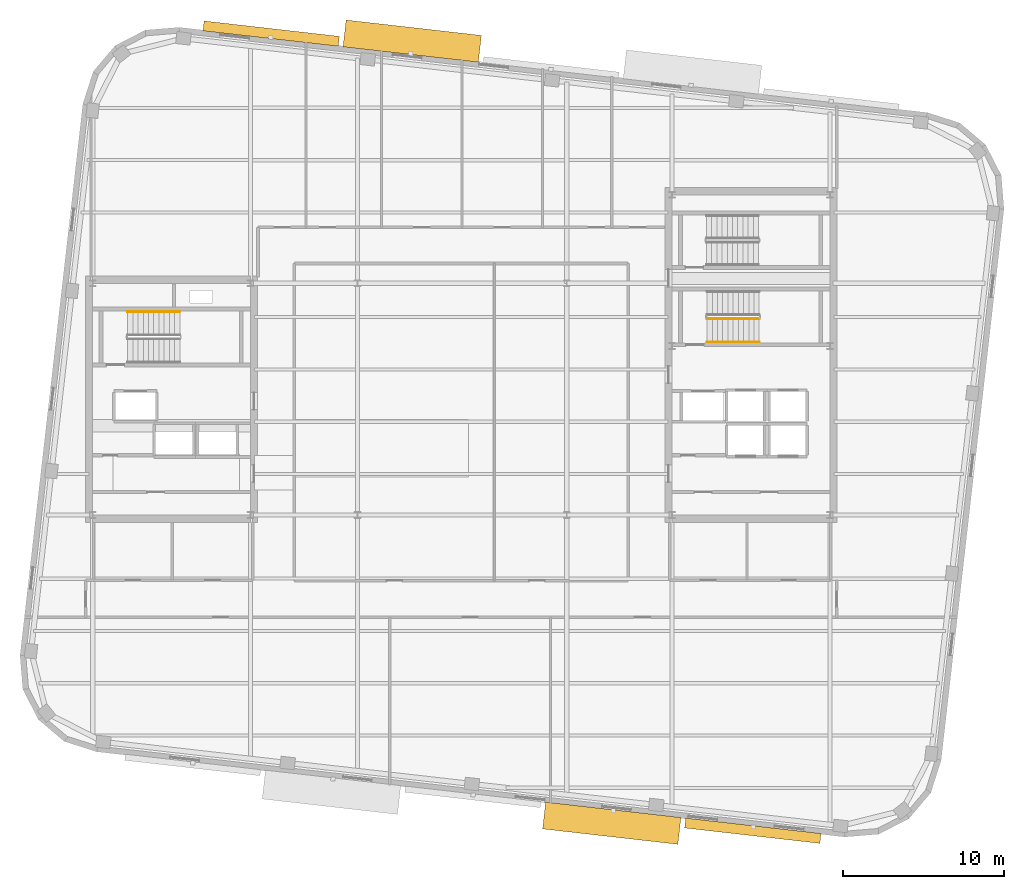
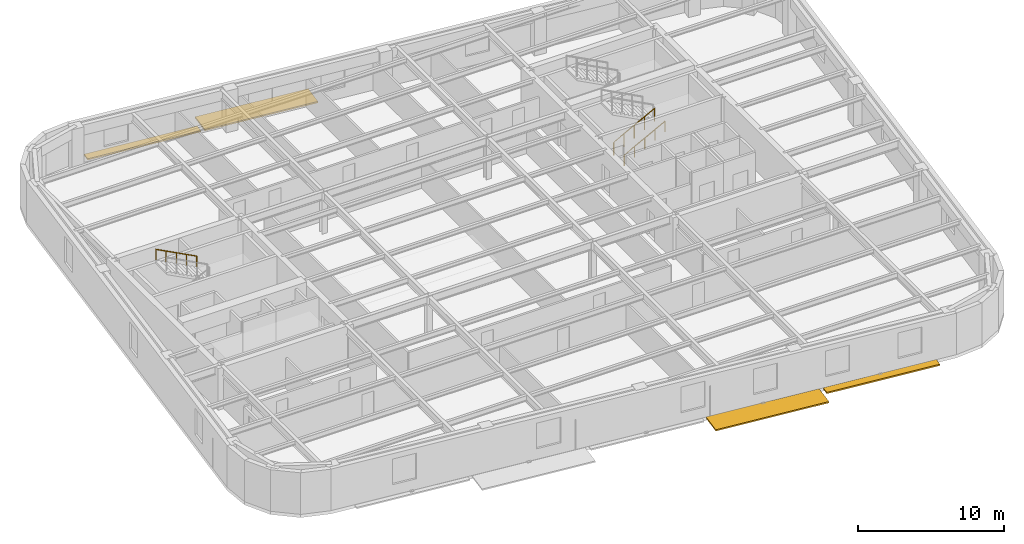
# One storey, part 12 of 13: 4 shading devices, 3 railings.
"""IFC4 building model written with IfcOpenShell, lengths in metres."""

from ifc_helpers import new_model, si_unit, direction, frame, origin, origin_2d, place, context, subcontext, project, spatial, rectangle, circle, extrude, material, type_object, element, save


model = new_model("IFC4")

# Units and contexts
model_context = context("Model", 3, precision=1e-05, world=origin(), true_north=direction((0.0, 1.0)))
body_context = subcontext(model_context, "Body", "Model", "MODEL_VIEW")
ifc_project = project(units=[si_unit("LENGTHUNIT", "METRE"), si_unit("AREAUNIT", "SQUARE_METRE"), si_unit("VOLUMEUNIT", "CUBIC_METRE"), si_unit("PLANEANGLEUNIT", "RADIAN"), si_unit("MASSUNIT", "GRAM", prefix="KILO")], contexts=[model_context])

# Site, building, storey
site_placement = place(None, origin())
site = spatial("IfcSite", under=ifc_project, at=site_placement, CompositionType="ELEMENT")
building_placement = place(site_placement, origin())
building = spatial("IfcBuilding", under=site, at=building_placement, Name="Kolvaren Arena Tower", CompositionType="ELEMENT")
storey_placement = place(building_placement, frame((0.0, 0.0, 239.699951171875)))
storey = spatial("IfcBuildingStorey", under=building, at=storey_placement, Name="L58", CompositionType="ELEMENT", Elevation=239.699951171875)

# Railings
ifc_material_1 = material(Name="Painted galvanized steel", Category="steel")
railing_type_1 = type_object("IfcRailingType", Name="GUARD-ST-110", PredefinedType="GUARDRAIL", material=ifc_material_1)
railing_1_placement = place(storey_placement, frame((52.719970703125, 31.639892578125, 0.17041015625)))
element("IfcRailing", 1, at=railing_1_placement, inside=storey, type_object=railing_type_1, Name="L58 ST-E1 stair guard 1", PredefinedType="GUARDRAIL", context=body_context, shape_type="SweptSolid", body=[
    extrude(circle(Radius=0.02392578125, at=origin_2d()), frame((0.0, 0.0, 1.076171875), z_axis=(0.884993431791, 0.0, 0.465603506952), x_axis=(0.0, 1.0, 0.0)), (0.0, 0.0, 1.0), 3.6611328125),
    extrude(circle(Radius=0.02099609375, at=origin_2d()), origin(), (0.0, 0.0, 1.0), 1.052001953125),
    extrude(circle(Radius=0.02099609375, at=origin_2d()), frame((0.81005859375, 0.0, 0.42626953125)), (0.0, 0.0, 1.0), 1.052001953125),
    extrude(circle(Radius=0.02099609375, at=origin_2d()), frame((1.6201171875, 0.0, 0.852294921875)), (0.0, 0.0, 1.0), 1.052001953125),
    extrude(circle(Radius=0.02099609375, at=origin_2d()), frame((2.429931640625, 0.0, 1.2783203125)), (0.0, 0.0, 1.0), 1.052001953125),
    extrude(circle(Radius=0.02099609375, at=origin_2d()), frame((3.239990234375, 0.0, 1.70458984375)), (0.0, 0.0, 1.0), 1.052001953125),
])
ifc_material_2 = material(Name="Brushed stainless steel handrail", Category="steel")
railing_type_2 = type_object("IfcRailingType", Name="HRAIL-900", PredefinedType="HANDRAIL", material=ifc_material_2)
railing_2_placement = place(storey_placement, frame((19.9599609375, 32.080078125, 2.04541015625)))
element("IfcRailing", 2, at=railing_2_placement, inside=storey, type_object=railing_type_2, Name="L58 ST-W1 stair handrail 2", PredefinedType="HANDRAIL", context=body_context, shape_type="SweptSolid", body=[
    extrude(circle(Radius=0.02392578125, at=origin_2d()), frame((0.0, 0.0, 0.8759765625), z_axis=(-0.884993431791, 0.0, 0.465603506952), x_axis=(0.0, -1.0, 0.0)), (0.0, 0.0, 1.0), 3.6611328125),
    extrude(circle(Radius=0.02099609375, at=origin_2d()), origin(), (0.0, 0.0, 1.0), 0.851806640625),
    extrude(circle(Radius=0.02099609375, at=origin_2d()), frame((-0.81005859375, 0.0, 0.42626953125)), (0.0, 0.0, 1.0), 0.851806640625),
    extrude(circle(Radius=0.02099609375, at=origin_2d()), frame((-1.6201171875, 0.0, 0.852294921875)), (0.0, 0.0, 1.0), 0.851806640625),
    extrude(circle(Radius=0.02099609375, at=origin_2d()), frame((-2.429931640625, 0.0, 1.2783203125)), (0.0, 0.0, 1.0), 0.851806640625),
    extrude(circle(Radius=0.02099609375, at=origin_2d()), frame((-3.239990234375, 0.0, 1.70458984375)), (0.0, 0.0, 1.0), 0.851806640625),
])
railing_3_placement = place(storey_placement, frame((52.719970703125, 30.199951171875, 0.17041015625)))
element("IfcRailing", 3, at=railing_3_placement, inside=storey, type_object=railing_type_2, Name="L58 ST-E1 stair handrail 1", PredefinedType="HANDRAIL", context=body_context, shape_type="SweptSolid", body=[
    extrude(circle(Radius=0.02392578125, at=origin_2d()), frame((0.0, 0.0, 0.8759765625), z_axis=(0.884993431791, 0.0, 0.465603506952), x_axis=(0.0, 1.0, 0.0)), (0.0, 0.0, 1.0), 3.6611328125),
    extrude(circle(Radius=0.02099609375, at=origin_2d()), origin(), (0.0, 0.0, 1.0), 0.851806640625),
    extrude(circle(Radius=0.02099609375, at=origin_2d()), frame((0.81005859375, 0.0, 0.42626953125)), (0.0, 0.0, 1.0), 0.851806640625),
    extrude(circle(Radius=0.02099609375, at=origin_2d()), frame((1.6201171875, 0.0, 0.852294921875)), (0.0, 0.0, 1.0), 0.851806640625),
    extrude(circle(Radius=0.02099609375, at=origin_2d()), frame((2.429931640625, 0.0, 1.2783203125)), (0.0, 0.0, 1.0), 0.851806640625),
    extrude(circle(Radius=0.02099609375, at=origin_2d()), frame((3.239990234375, 0.0, 1.70458984375)), (0.0, 0.0, 1.0), 0.851806640625),
])

# Shading devices
ifc_material_3 = material(Name="Architectural precast GFRC and anodised aluminium sunshade", Category="concrete")
shading_device_type_1 = type_object("IfcShadingDeviceType", Name="SHAD-SINE-A", PredefinedType="USERDEFINED", material=ifc_material_3)
for number, where, z_axis, x_axis, name in (
    (4, (25.63720703125, 49.36279296875, -0.139892578125), (0.0, 0.0, 1.0), (0.993571658098, -0.113204947878, 0.0), "Sinusoidal Slab-Edge Sunshade Louvre (L58)"),
    (5, (55.56298828125, -0.162841796875, -0.139892578125), (0.0, 0.0, 1.0), (-0.993571658098, 0.113204947878, 0.0), "Sinusoidal Slab-Edge Sunshade Louvre (L58)"),
):
    element("IfcShadingDevice", number, at=place(storey_placement, frame(where, z_axis=z_axis, x_axis=x_axis)), inside=storey, type_object=shading_device_type_1, Name=name, ObjectType="LOUVRE", PredefinedType="USERDEFINED", context=body_context, shape_type="SweptSolid", body=[
        extrude(rectangle(XDim=8.4599609375, YDim=0.619384765625, at=origin_2d()), origin(), (0.0, 0.0, 1.0), 0.1201171875),
    ])
shading_device_type_2 = type_object("IfcShadingDeviceType", Name="SHAD-SINE-B", PredefinedType="JALOUSIE", material=ifc_material_3)
for number, where, z_axis, x_axis, name in (
    (6, (34.400634765625, 48.89599609375, -0.139892578125), (0.0, 0.0, 1.0), (0.993571658098, -0.113204947878, 0.0), "Sinusoidal Slab-Edge Sunshade Louvre (L58)"),
    (7, (46.79931640625, 0.303955078125, -0.139892578125), (0.0, 0.0, 1.0), (-0.993571658098, 0.113204947878, 0.0), "Sinusoidal Slab-Edge Sunshade Louvre (L58)"),
):
    element("IfcShadingDevice", number, at=place(storey_placement, frame(where, z_axis=z_axis, x_axis=x_axis)), inside=storey, type_object=shading_device_type_2, Name=name, PredefinedType="JALOUSIE", context=body_context, shape_type="SweptSolid", body=[
        extrude(rectangle(XDim=8.4599609375, YDim=1.67626953125, at=origin_2d()), origin(), (0.0, 0.0, 1.0), 0.1201171875),
    ])

save(model, "model.ifc")
